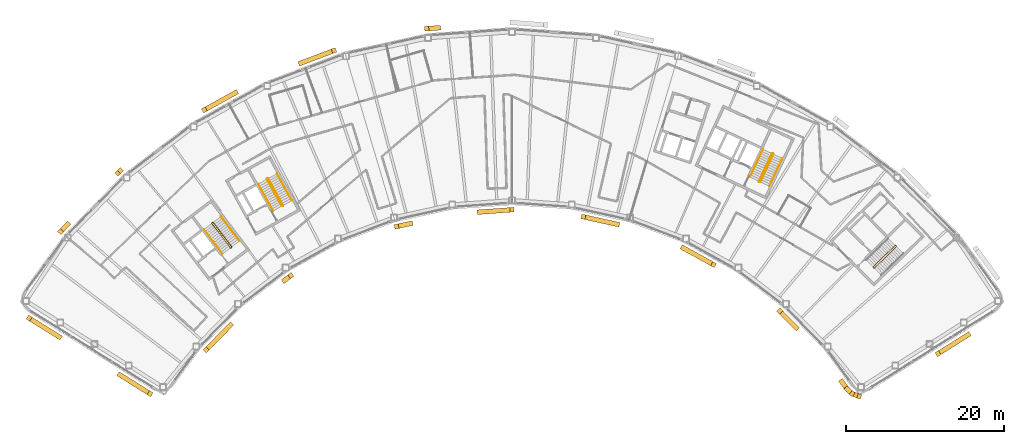
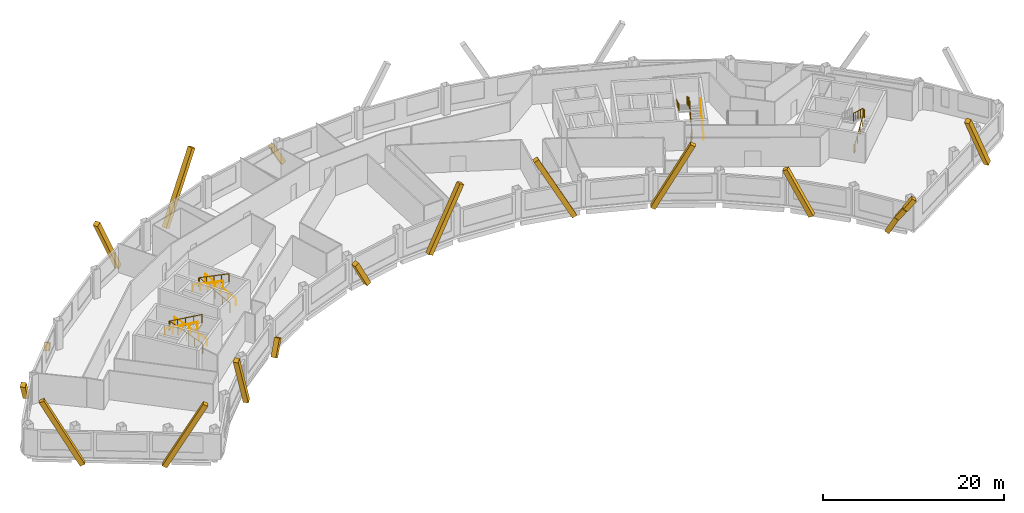
# One storey, part 11 of 12: 18 coverings, 10 railings.
"""IFC4 building model written with IfcOpenShell, lengths in metres."""

from ifc_helpers import new_model, si_unit, direction, frame, origin, origin_2d, place, context, subcontext, project, spatial, rectangle, circle, extrude, material, material_profile, profile_set, type_object, element, save


model = new_model("IFC4")

# Units and contexts
model_context = context("Model", 3, precision=1e-05, world=origin(), true_north=direction((0.0, 1.0)))
body_context = subcontext(model_context, "Body", "Model", "MODEL_VIEW")
ifc_project = project(units=[si_unit("LENGTHUNIT", "METRE"), si_unit("AREAUNIT", "SQUARE_METRE"), si_unit("VOLUMEUNIT", "CUBIC_METRE"), si_unit("PLANEANGLEUNIT", "RADIAN"), si_unit("MASSUNIT", "GRAM", prefix="KILO")], contexts=[model_context])

# Site, building, storey
site_placement = place(None, origin())
site = spatial("IfcSite", under=ifc_project, at=site_placement, CompositionType="ELEMENT")
building_placement = place(site_placement, origin())
building = spatial("IfcBuilding", under=site, at=building_placement, Name="Tuul Gate Civic Tower", CompositionType="ELEMENT")
storey_placement = place(building_placement, frame((0.0, 0.0, 328.10009765625)))
storey = spatial("IfcBuildingStorey", under=building, at=storey_placement, Name="Level 74", CompositionType="ELEMENT", Elevation=328.10009765625)

# Railings
ifc_material_1 = material(Name="Painted steel", Category="steel")
railing_type_1 = type_object("IfcRailingType", Name="Stair guard", PredefinedType="GUARDRAIL", material=ifc_material_1)
railing_1_placement = place(storey_placement, frame((-33.382080078125, -13.515380859375, 0.0)))
element("IfcRailing", 1, at=railing_1_placement, inside=storey, type_object=railing_type_1, Name="Level 74 ST-1 stair guard 1", PredefinedType="GUARDRAIL", context=body_context, shape_type="SweptSolid", body=[
    extrude(circle(Radius=0.02392578125, at=origin_2d()), frame((0.0, 0.0, 1.076171875), z_axis=(-0.795879841968, -0.605454603706, 0.0), x_axis=(0.605454603706, -0.795879841968, 0.0)), (0.0, 0.0, 1.0), 0.10009765625),
    extrude(circle(Radius=0.02392578125, at=origin_2d()), frame((-0.07958984375, -0.060546875, 1.076171875), z_axis=(0.408991890351, 0.599481263939, 0.688002796371), x_axis=(-0.826063974707, 0.563576356576, 0.0)), (0.0, 0.0, 1.0), 0.2177734375),
    extrude(circle(Radius=0.02392578125, at=origin_2d()), frame((0.009521484375, 0.070068359375, 1.22607421875), z_axis=(-0.541824460341, 0.711645023348, 0.447199748346), x_axis=(-0.795637165283, -0.60577347352, 0.0)), (0.0, 0.0, 1.0), 4.3603515625),
    extrude(circle(Radius=0.02392578125, at=origin_2d()), frame((-2.35302734375, 3.173095703125, 3.17578125), z_axis=(-0.990893089246, 0.134650977284, 0.0), x_axis=(-0.134650977284, -0.990893089246, 0.0)), (0.0, 0.0, 1.0), 0.07080078125),
    extrude(circle(Radius=0.02392578125, at=origin_2d()), frame((-2.423095703125, 3.1826171875, 3.17578125), z_axis=(-0.793802879778, -0.60817512943, 0.0), x_axis=(0.60817512943, -0.793802879778, 0.0)), (0.0, 0.0, 1.0), 0.099853515625),
    extrude(circle(Radius=0.02392578125, at=origin_2d()), frame((-2.50244140625, 3.121826171875, 3.17578125), z_axis=(-0.057370624079, -0.422188951554, 0.904690610473), x_axis=(0.990893089246, -0.134650977284, 0.0)), (0.0, 0.0, 1.0), 0.166015625),
    extrude(circle(Radius=0.02392578125, at=origin_2d()), frame((-2.511962890625, 3.0517578125, 3.326171875), z_axis=(0.541806494602, -0.71163897684, 0.447231136047), x_axis=(0.795644365679, 0.605764016233, 0.0)), (0.0, 0.0, 1.0), 4.360107421875),
    extrude(circle(Radius=0.02099609375, at=origin_2d()), origin(), (0.0, 0.0, 1.0), 1.052001953125),
    extrude(circle(Radius=0.02099609375, at=origin_2d()), frame((-0.07958984375, -0.060546875, 0.0)), (0.0, 0.0, 1.0), 1.052001953125),
    extrude(circle(Radius=0.02099609375, at=origin_2d()), frame((0.009521484375, 0.070068359375, 0.14990234375)), (0.0, 0.0, 1.0), 1.052001953125),
    extrude(circle(Radius=0.02099609375, at=origin_2d()), frame((-0.5810546875, 0.845703125, 0.637451171875)), (0.0, 0.0, 1.0), 1.052001953125),
    extrude(circle(Radius=0.02099609375, at=origin_2d()), frame((-1.171875, 1.62158203125, 1.125)), (0.0, 0.0, 1.0), 1.052001953125),
    extrude(circle(Radius=0.02099609375, at=origin_2d()), frame((-1.762451171875, 2.3974609375, 1.6123046875)), (0.0, 0.0, 1.0), 1.052001953125),
    extrude(circle(Radius=0.02099609375, at=origin_2d()), frame((-2.35302734375, 3.173095703125, 2.099853515625)), (0.0, 0.0, 1.0), 1.052001953125),
    extrude(circle(Radius=0.02099609375, at=origin_2d()), frame((-2.423095703125, 3.1826171875, 2.099853515625)), (0.0, 0.0, 1.0), 1.052001953125),
    extrude(circle(Radius=0.02099609375, at=origin_2d()), frame((-2.50244140625, 3.121826171875, 2.099853515625)), (0.0, 0.0, 1.0), 1.052001953125),
    extrude(circle(Radius=0.02099609375, at=origin_2d()), frame((-2.511962890625, 3.0517578125, 2.25)), (0.0, 0.0, 1.0), 1.052001953125),
    extrude(circle(Radius=0.02099609375, at=origin_2d()), frame((-1.92138671875, 2.276123046875, 2.737548828125)), (0.0, 0.0, 1.0), 1.052001953125),
    extrude(circle(Radius=0.02099609375, at=origin_2d()), frame((-1.330810546875, 1.50048828125, 3.22509765625)), (0.0, 0.0, 1.0), 1.052001953125),
    extrude(circle(Radius=0.02099609375, at=origin_2d()), frame((-0.740234375, 0.724609375, 3.71240234375)), (0.0, 0.0, 1.0), 1.052001953125),
    extrude(circle(Radius=0.02099609375, at=origin_2d()), frame((-0.149658203125, -0.051025390625, 4.199951171875)), (0.0, 0.0, 1.0), 1.052001953125),
])
railing_2_placement = place(storey_placement, frame((-26.857666015625, -8.247314453125, 0.0)))
element("IfcRailing", 2, at=railing_2_placement, inside=storey, type_object=railing_type_1, Name="Level 74 ST-2 stair guard 1", PredefinedType="GUARDRAIL", context=body_context, shape_type="SweptSolid", body=[
    extrude(circle(Radius=0.02392578125, at=origin_2d()), frame((0.0, 0.0, 1.076171875), z_axis=(-0.874616555828, -0.48481530532, 0.0), x_axis=(0.48481530532, -0.874616555828, 0.0)), (0.0, 0.0, 1.0), 0.10009765625),
    extrude(circle(Radius=0.02392578125, at=origin_2d()), frame((-0.087646484375, -0.048583984375, 1.076171875), z_axis=(0.49081399482, 0.534516610797, 0.688036056665), x_axis=(-0.736576986774, 0.676353711126, 0.0)), (0.0, 0.0, 1.0), 0.2177734375),
    extrude(circle(Radius=0.02392578125, at=origin_2d()), frame((0.019287109375, 0.06787109375, 1.22607421875), z_axis=(-0.43354991378, 0.782327185242, 0.447212083348), x_axis=(-0.874667644053, -0.484723129681, 0.0)), (0.0, 0.0, 1.0), 4.3603515625),
    extrude(circle(Radius=0.02392578125, at=origin_2d()), frame((-1.87109375, 3.47900390625, 3.17578125), z_axis=(-0.961263487578, 0.275631107549, 0.0), x_axis=(-0.275631107549, -0.961263487578, 0.0)), (0.0, 0.0, 1.0), 0.07080078125),
    extrude(circle(Radius=0.02392578125, at=origin_2d()), frame((-1.939208984375, 3.49853515625, 3.17578125), z_axis=(-0.874042088414, -0.485850211157, 0.0), x_axis=(0.485850211157, -0.874042088414, 0.0)), (0.0, 0.0, 1.0), 0.10009765625),
    extrude(circle(Radius=0.02392578125, at=origin_2d()), frame((-2.026611328125, 3.449951171875, 3.17578125), z_axis=(-0.117709570447, -0.409040757305, 0.904892322815), x_axis=(0.961000426733, -0.276546885391, 0.0)), (0.0, 0.0, 1.0), 0.166015625),
    extrude(circle(Radius=0.02392578125, at=origin_2d()), frame((-2.046142578125, 3.382080078125, 3.326171875), z_axis=(0.433595379963, -0.782308193291, 0.447201226726), x_axis=(0.874641102302, 0.484771020343, 0.0)), (0.0, 0.0, 1.0), 4.3603515625),
    extrude(circle(Radius=0.02099609375, at=origin_2d()), origin(), (0.0, 0.0, 1.0), 1.052001953125),
    extrude(circle(Radius=0.02099609375, at=origin_2d()), frame((-0.087646484375, -0.048583984375, 0.0)), (0.0, 0.0, 1.0), 1.052001953125),
    extrude(circle(Radius=0.02099609375, at=origin_2d()), frame((0.019287109375, 0.06787109375, 0.14990234375)), (0.0, 0.0, 1.0), 1.052001953125),
    extrude(circle(Radius=0.02099609375, at=origin_2d()), frame((-0.453369140625, 0.920654296875, 0.637451171875)), (0.0, 0.0, 1.0), 1.052001953125),
    extrude(circle(Radius=0.02099609375, at=origin_2d()), frame((-0.92578125, 1.7734375, 1.125)), (0.0, 0.0, 1.0), 1.052001953125),
    extrude(circle(Radius=0.02099609375, at=origin_2d()), frame((-1.3984375, 2.626220703125, 1.6123046875)), (0.0, 0.0, 1.0), 1.052001953125),
    extrude(circle(Radius=0.02099609375, at=origin_2d()), frame((-1.87109375, 3.47900390625, 2.099853515625)), (0.0, 0.0, 1.0), 1.052001953125),
    extrude(circle(Radius=0.02099609375, at=origin_2d()), frame((-1.939208984375, 3.49853515625, 2.099853515625)), (0.0, 0.0, 1.0), 1.052001953125),
    extrude(circle(Radius=0.02099609375, at=origin_2d()), frame((-2.026611328125, 3.449951171875, 2.099853515625)), (0.0, 0.0, 1.0), 1.052001953125),
    extrude(circle(Radius=0.02099609375, at=origin_2d()), frame((-2.046142578125, 3.382080078125, 2.25)), (0.0, 0.0, 1.0), 1.052001953125),
    extrude(circle(Radius=0.02099609375, at=origin_2d()), frame((-1.573486328125, 2.529296875, 2.737548828125)), (0.0, 0.0, 1.0), 1.052001953125),
    extrude(circle(Radius=0.02099609375, at=origin_2d()), frame((-1.100830078125, 1.676513671875, 3.22509765625)), (0.0, 0.0, 1.0), 1.052001953125),
    extrude(circle(Radius=0.02099609375, at=origin_2d()), frame((-0.628173828125, 0.82373046875, 3.71240234375)), (0.0, 0.0, 1.0), 1.052001953125),
    extrude(circle(Radius=0.02099609375, at=origin_2d()), frame((-0.155517578125, -0.029052734375, 4.199951171875)), (0.0, 0.0, 1.0), 1.052001953125),
])
railing_3_placement = place(storey_placement, frame((48.10546875, -16.134765625, 0.0)))
element("IfcRailing", 3, at=railing_3_placement, inside=storey, type_object=railing_type_1, Name="Level 74 ST-3 stair guard 1", PredefinedType="GUARDRAIL", context=body_context, shape_type="SweptSolid", body=[
    extrude(circle(Radius=0.02392578125, at=origin_2d()), frame((0.0, 0.0, 1.076171875), z_axis=(-0.698506948293, 0.715603272202, 0.0), x_axis=(-0.715603272202, -0.698506948293, 0.0)), (0.0, 0.0, 1.0), 0.099853515625),
    extrude(circle(Radius=0.02392578125, at=origin_2d()), frame((-0.06982421875, 0.071533203125, 1.076171875), z_axis=(0.645446321009, -0.331687692741, 0.688027849131), x_axis=(0.457068866502, 0.889431307788, 0.0)), (0.0, 0.0, 1.0), 0.2177734375),
    extrude(circle(Radius=0.02392578125, at=origin_2d()), frame((0.07080078125, -0.000732421875, 1.22607421875), z_axis=(0.638731261263, 0.626133563701, 0.447190268558), x_axis=(-0.700029477518, 0.714113947914, 0.0)), (0.0, 0.0, 1.0), 4.3603515625),
    extrude(circle(Radius=0.02392578125, at=origin_2d()), frame((2.85595703125, 2.7294921875, 3.17578125), z_axis=(0.010380063588, 0.999946125689, 0.0), x_axis=(-0.999946125689, 0.010380063588, 0.0)), (0.0, 0.0, 1.0), 0.070556640625),
    extrude(circle(Radius=0.02392578125, at=origin_2d()), frame((2.856689453125, 2.800048828125, 3.17578125), z_axis=(-0.699754442181, 0.714383454909, 0.0), x_axis=(-0.714383454909, -0.699754442181, 0.0)), (0.0, 0.0, 1.0), 0.10009765625),
    extrude(circle(Radius=0.02392578125, at=origin_2d()), frame((2.78662109375, 2.87158203125, 3.17578125), z_axis=(-0.426501027327, 0.004412079593, 0.904476316574), x_axis=(-0.010344274102, -0.999946496565, 0.0)), (0.0, 0.0, 1.0), 0.166015625),
    extrude(circle(Radius=0.02392578125, at=origin_2d()), frame((2.7158203125, 2.872314453125, 3.326171875), z_axis=(-0.638731261263, -0.626133563701, 0.447190268558), x_axis=(0.700029477518, -0.714113947914, 0.0)), (0.0, 0.0, 1.0), 4.3603515625),
    extrude(circle(Radius=0.02099609375, at=origin_2d()), origin(), (0.0, 0.0, 1.0), 1.052001953125),
    extrude(circle(Radius=0.02099609375, at=origin_2d()), frame((-0.06982421875, 0.071533203125, 0.0)), (0.0, 0.0, 1.0), 1.052001953125),
    extrude(circle(Radius=0.02099609375, at=origin_2d()), frame((0.07080078125, -0.000732421875, 0.14990234375)), (0.0, 0.0, 1.0), 1.052001953125),
    extrude(circle(Radius=0.02099609375, at=origin_2d()), frame((0.76708984375, 0.681884765625, 0.637451171875)), (0.0, 0.0, 1.0), 1.052001953125),
    extrude(circle(Radius=0.02099609375, at=origin_2d()), frame((1.46337890625, 1.3642578125, 1.125)), (0.0, 0.0, 1.0), 1.052001953125),
    extrude(circle(Radius=0.02099609375, at=origin_2d()), frame((2.15966796875, 2.046875, 1.6123046875)), (0.0, 0.0, 1.0), 1.052001953125),
    extrude(circle(Radius=0.02099609375, at=origin_2d()), frame((2.85595703125, 2.7294921875, 2.099853515625)), (0.0, 0.0, 1.0), 1.052001953125),
    extrude(circle(Radius=0.02099609375, at=origin_2d()), frame((2.856689453125, 2.800048828125, 2.099853515625)), (0.0, 0.0, 1.0), 1.052001953125),
    extrude(circle(Radius=0.02099609375, at=origin_2d()), frame((2.78662109375, 2.87158203125, 2.099853515625)), (0.0, 0.0, 1.0), 1.052001953125),
    extrude(circle(Radius=0.02099609375, at=origin_2d()), frame((2.7158203125, 2.872314453125, 2.25)), (0.0, 0.0, 1.0), 1.052001953125),
    extrude(circle(Radius=0.02099609375, at=origin_2d()), frame((2.01953125, 2.189697265625, 2.737548828125)), (0.0, 0.0, 1.0), 1.052001953125),
    extrude(circle(Radius=0.02099609375, at=origin_2d()), frame((1.3232421875, 1.50732421875, 3.22509765625)), (0.0, 0.0, 1.0), 1.052001953125),
    extrude(circle(Radius=0.02099609375, at=origin_2d()), frame((0.626953125, 0.82470703125, 3.71240234375)), (0.0, 0.0, 1.0), 1.052001953125),
    extrude(circle(Radius=0.02099609375, at=origin_2d()), frame((-0.0693359375, 0.14208984375, 4.199951171875)), (0.0, 0.0, 1.0), 1.052001953125),
])
railing_4_placement = place(storey_placement, frame((33.645751953125, -5.238525390625, 0.0)))
element("IfcRailing", 4, at=railing_4_placement, inside=storey, type_object=railing_type_1, Name="Level 74 ST-4 stair guard 1", PredefinedType="GUARDRAIL", context=body_context, shape_type="SweptSolid", body=[
    extrude(circle(Radius=0.02392578125, at=origin_2d()), frame((0.0, 0.0, 1.076171875), z_axis=(-0.906307919131, 0.422617978463, 0.0), x_axis=(-0.422617978463, -0.906307919131, 0.0)), (0.0, 0.0, 1.0), 0.099853515625),
    extrude(circle(Radius=0.02392578125, at=origin_2d()), frame((-0.090576171875, 0.042236328125, 1.076171875), z_axis=(0.720735628292, -0.082946246491, 0.688229666829), x_axis=(0.114330889033, 0.993442724979, 0.0)), (0.0, 0.0, 1.0), 0.2177734375),
    extrude(circle(Radius=0.02392578125, at=origin_2d()), frame((0.06640625, 0.024169921875, 1.22607421875), z_axis=(0.377946903738, 0.810654114417, 0.447209173356), x_axis=(-0.906336612539, 0.422556439746, 0.0)), (0.0, 0.0, 1.0), 4.3603515625),
    extrude(circle(Radius=0.02392578125, at=origin_2d()), frame((1.71435546875, 3.558837890625, 3.17578125), z_axis=(-0.342020437038, 0.939692513883, 0.0), x_axis=(-0.939692513883, -0.342020437038, 0.0)), (0.0, 0.0, 1.0), 0.070556640625),
    extrude(circle(Radius=0.02392578125, at=origin_2d()), frame((1.690185546875, 3.625244140625, 3.17578125), z_axis=(-0.906307919131, 0.422617978463, 0.0), x_axis=(-0.422617978463, -0.906307919131, 0.0)), (0.0, 0.0, 1.0), 0.099853515625),
    extrude(circle(Radius=0.02392578125, at=origin_2d()), frame((1.599609375, 3.66748046875, 3.17578125), z_axis=(-0.400168791901, -0.145649670582, 0.904793408159), x_axis=(0.342020437038, -0.939692513883, 0.0)), (0.0, 0.0, 1.0), 0.166015625),
    extrude(circle(Radius=0.02392578125, at=origin_2d()), frame((1.533203125, 3.643310546875, 3.326171875), z_axis=(-0.377946903738, -0.810654114417, 0.447209173356), x_axis=(0.906336612539, -0.422556439746, 0.0)), (0.0, 0.0, 1.0), 4.3603515625),
    extrude(circle(Radius=0.02099609375, at=origin_2d()), origin(), (0.0, 0.0, 1.0), 1.052001953125),
    extrude(circle(Radius=0.02099609375, at=origin_2d()), frame((-0.090576171875, 0.042236328125, 0.0)), (0.0, 0.0, 1.0), 1.052001953125),
    extrude(circle(Radius=0.02099609375, at=origin_2d()), frame((0.06640625, 0.024169921875, 0.14990234375)), (0.0, 0.0, 1.0), 1.052001953125),
    extrude(circle(Radius=0.02099609375, at=origin_2d()), frame((0.478515625, 0.90771484375, 0.637451171875)), (0.0, 0.0, 1.0), 1.052001953125),
    extrude(circle(Radius=0.02099609375, at=origin_2d()), frame((0.890380859375, 1.79150390625, 1.125)), (0.0, 0.0, 1.0), 1.052001953125),
    extrude(circle(Radius=0.02099609375, at=origin_2d()), frame((1.30224609375, 2.67529296875, 1.6123046875)), (0.0, 0.0, 1.0), 1.052001953125),
    extrude(circle(Radius=0.02099609375, at=origin_2d()), frame((1.71435546875, 3.558837890625, 2.099853515625)), (0.0, 0.0, 1.0), 1.052001953125),
    extrude(circle(Radius=0.02099609375, at=origin_2d()), frame((1.690185546875, 3.625244140625, 2.099853515625)), (0.0, 0.0, 1.0), 1.052001953125),
    extrude(circle(Radius=0.02099609375, at=origin_2d()), frame((1.599609375, 3.66748046875, 2.099853515625)), (0.0, 0.0, 1.0), 1.052001953125),
    extrude(circle(Radius=0.02099609375, at=origin_2d()), frame((1.533203125, 3.643310546875, 2.25)), (0.0, 0.0, 1.0), 1.052001953125),
    extrude(circle(Radius=0.02099609375, at=origin_2d()), frame((1.12109375, 2.759765625, 2.737548828125)), (0.0, 0.0, 1.0), 1.052001953125),
    extrude(circle(Radius=0.02099609375, at=origin_2d()), frame((0.709228515625, 1.8759765625, 3.22509765625)), (0.0, 0.0, 1.0), 1.052001953125),
    extrude(circle(Radius=0.02099609375, at=origin_2d()), frame((0.29736328125, 0.9921875, 3.71240234375)), (0.0, 0.0, 1.0), 1.052001953125),
    extrude(circle(Radius=0.02099609375, at=origin_2d()), frame((-0.11474609375, 0.108642578125, 4.199951171875)), (0.0, 0.0, 1.0), 1.052001953125),
])
ifc_material_2 = material(Name="Painted steel", Category="steel")
railing_type_2 = type_object("IfcRailingType", Name="Stair handrail", PredefinedType="HANDRAIL", material=ifc_material_2)
railing_5_placement = place(storey_placement, frame((-32.3779296875, -12.688232421875, 0.14990234375)))
element("IfcRailing", 5, at=railing_5_placement, inside=storey, type_object=railing_type_2, Name="Level 74 ST-1 stair handrail 1", PredefinedType="HANDRAIL", context=body_context, shape_type="SweptSolid", body=[
    extrude(circle(Radius=0.02392578125, at=origin_2d()), frame((0.0, 0.0, 0.8759765625), z_axis=(-0.541824460341, 0.711645023348, 0.447199748346), x_axis=(-0.795637165283, -0.60577347352, 0.0)), (0.0, 0.0, 1.0), 4.3603515625),
    extrude(circle(Radius=0.02099609375, at=origin_2d()), origin(), (0.0, 0.0, 1.0), 0.851806640625),
    extrude(circle(Radius=0.02099609375, at=origin_2d()), frame((-0.590576171875, 0.77587890625, 0.487548828125)), (0.0, 0.0, 1.0), 0.851806640625),
    extrude(circle(Radius=0.02099609375, at=origin_2d()), frame((-1.18115234375, 1.551513671875, 0.97509765625)), (0.0, 0.0, 1.0), 0.851806640625),
    extrude(circle(Radius=0.02099609375, at=origin_2d()), frame((-1.77197265625, 2.3271484375, 1.46240234375)), (0.0, 0.0, 1.0), 0.851806640625),
    extrude(circle(Radius=0.02099609375, at=origin_2d()), frame((-2.362548828125, 3.10302734375, 1.949951171875)), (0.0, 0.0, 1.0), 0.851806640625),
])
railing_6_placement = place(storey_placement, frame((-36.888671875, -11.220703125, 2.25)))
element("IfcRailing", 6, at=railing_6_placement, inside=storey, type_object=railing_type_2, Name="Level 74 ST-1 stair handrail 2", PredefinedType="HANDRAIL", context=body_context, shape_type="SweptSolid", body=[
    extrude(circle(Radius=0.02392578125, at=origin_2d()), frame((0.0, 0.0, 0.8759765625), z_axis=(0.541824460341, -0.711645023348, 0.447199748346), x_axis=(0.795637165283, 0.60577347352, 0.0)), (0.0, 0.0, 1.0), 4.3603515625),
    extrude(circle(Radius=0.02099609375, at=origin_2d()), origin(), (0.0, 0.0, 1.0), 0.851806640625),
    extrude(circle(Radius=0.02099609375, at=origin_2d()), frame((0.590576171875, -0.77587890625, 0.487548828125)), (0.0, 0.0, 1.0), 0.851806640625),
    extrude(circle(Radius=0.02099609375, at=origin_2d()), frame((1.18115234375, -1.551513671875, 0.97509765625)), (0.0, 0.0, 1.0), 0.851806640625),
    extrude(circle(Radius=0.02099609375, at=origin_2d()), frame((1.77197265625, -2.3271484375, 1.46240234375)), (0.0, 0.0, 1.0), 0.851806640625),
    extrude(circle(Radius=0.02099609375, at=origin_2d()), frame((2.362548828125, -3.10302734375, 1.949951171875)), (0.0, 0.0, 1.0), 0.851806640625),
])
railing_7_placement = place(storey_placement, frame((-25.744873046875, -7.573486328125, 0.14990234375)))
element("IfcRailing", 7, at=railing_7_placement, inside=storey, type_object=railing_type_2, Name="Level 74 ST-2 stair handrail 1", PredefinedType="HANDRAIL", context=body_context, shape_type="SweptSolid", body=[
    extrude(circle(Radius=0.02392578125, at=origin_2d()), frame((0.0, 0.0, 0.8759765625), z_axis=(-0.433595379963, 0.782308193291, 0.447201226726), x_axis=(-0.874641102302, -0.484771020343, 0.0)), (0.0, 0.0, 1.0), 4.3603515625),
    extrude(circle(Radius=0.02099609375, at=origin_2d()), origin(), (0.0, 0.0, 1.0), 0.851806640625),
    extrude(circle(Radius=0.02099609375, at=origin_2d()), frame((-0.47265625, 0.852783203125, 0.487548828125)), (0.0, 0.0, 1.0), 0.851806640625),
    extrude(circle(Radius=0.02099609375, at=origin_2d()), frame((-0.9453125, 1.70556640625, 0.97509765625)), (0.0, 0.0, 1.0), 0.851806640625),
    extrude(circle(Radius=0.02099609375, at=origin_2d()), frame((-1.41796875, 2.558349609375, 1.46240234375)), (0.0, 0.0, 1.0), 0.851806640625),
    extrude(circle(Radius=0.02099609375, at=origin_2d()), frame((-1.890625, 3.4111328125, 1.949951171875)), (0.0, 0.0, 1.0), 0.851806640625),
])
railing_8_placement = place(storey_placement, frame((-29.9970703125, -5.47119140625, 2.25)))
element("IfcRailing", 8, at=railing_8_placement, inside=storey, type_object=railing_type_2, Name="Level 74 ST-2 stair handrail 2", PredefinedType="HANDRAIL", context=body_context, shape_type="SweptSolid", body=[
    extrude(circle(Radius=0.02392578125, at=origin_2d()), frame((0.0, 0.0, 0.8759765625), z_axis=(0.433595379963, -0.782308193291, 0.447201226726), x_axis=(0.874641102302, 0.484771020343, 0.0)), (0.0, 0.0, 1.0), 4.3603515625),
    extrude(circle(Radius=0.02099609375, at=origin_2d()), origin(), (0.0, 0.0, 1.0), 0.851806640625),
    extrude(circle(Radius=0.02099609375, at=origin_2d()), frame((0.47265625, -0.852783203125, 0.487548828125)), (0.0, 0.0, 1.0), 0.851806640625),
    extrude(circle(Radius=0.02099609375, at=origin_2d()), frame((0.9453125, -1.70556640625, 0.97509765625)), (0.0, 0.0, 1.0), 0.851806640625),
    extrude(circle(Radius=0.02099609375, at=origin_2d()), frame((1.41796875, -2.558349609375, 1.46240234375)), (0.0, 0.0, 1.0), 0.851806640625),
    extrude(circle(Radius=0.02099609375, at=origin_2d()), frame((1.890625, -3.4111328125, 1.949951171875)), (0.0, 0.0, 1.0), 0.851806640625),
])
railing_9_placement = place(storey_placement, frame((34.844970703125, -5.74267578125, 0.14990234375)))
element("IfcRailing", 9, at=railing_9_placement, inside=storey, type_object=railing_type_2, Name="Level 74 ST-4 stair handrail 1", PredefinedType="HANDRAIL", context=body_context, shape_type="SweptSolid", body=[
    extrude(circle(Radius=0.02392578125, at=origin_2d()), frame((0.0, 0.0, 0.8759765625), z_axis=(0.377994896215, 0.810636958585, 0.447199709091), x_axis=(-0.906312636903, 0.422607861012, 0.0)), (0.0, 0.0, 1.0), 4.3603515625),
    extrude(circle(Radius=0.02099609375, at=origin_2d()), origin(), (0.0, 0.0, 1.0), 0.851806640625),
    extrude(circle(Radius=0.02099609375, at=origin_2d()), frame((0.412109375, 0.8837890625, 0.487548828125)), (0.0, 0.0, 1.0), 0.851806640625),
    extrude(circle(Radius=0.02099609375, at=origin_2d()), frame((0.82421875, 1.767333984375, 0.97509765625)), (0.0, 0.0, 1.0), 0.851806640625),
    extrude(circle(Radius=0.02099609375, at=origin_2d()), frame((1.236083984375, 2.65087890625, 1.46240234375)), (0.0, 0.0, 1.0), 0.851806640625),
    extrude(circle(Radius=0.02099609375, at=origin_2d()), frame((1.648193359375, 3.53466796875, 1.949951171875)), (0.0, 0.0, 1.0), 0.851806640625),
])
railing_10_placement = place(storey_placement, frame((34.046142578125, -1.06689453125, 2.25)))
element("IfcRailing", 10, at=railing_10_placement, inside=storey, type_object=railing_type_2, Name="Level 74 ST-4 stair handrail 2", PredefinedType="HANDRAIL", context=body_context, shape_type="SweptSolid", body=[
    extrude(circle(Radius=0.02392578125, at=origin_2d()), frame((0.0, 0.0, 0.8759765625), z_axis=(-0.377994896215, -0.810636958585, 0.447199709091), x_axis=(0.906312636903, -0.422607861012, 0.0)), (0.0, 0.0, 1.0), 4.3603515625),
    extrude(circle(Radius=0.02099609375, at=origin_2d()), origin(), (0.0, 0.0, 1.0), 0.851806640625),
    extrude(circle(Radius=0.02099609375, at=origin_2d()), frame((-0.412109375, -0.8837890625, 0.487548828125)), (0.0, 0.0, 1.0), 0.851806640625),
    extrude(circle(Radius=0.02099609375, at=origin_2d()), frame((-0.82421875, -1.767333984375, 0.97509765625)), (0.0, 0.0, 1.0), 0.851806640625),
    extrude(circle(Radius=0.02099609375, at=origin_2d()), frame((-1.236083984375, -2.65087890625, 1.46240234375)), (0.0, 0.0, 1.0), 0.851806640625),
    extrude(circle(Radius=0.02099609375, at=origin_2d()), frame((-1.648193359375, -3.53466796875, 1.949951171875)), (0.0, 0.0, 1.0), 0.851806640625),
])

# Coverings
ifc_material_3 = material(Name="Terracotta baguette", Category="masonry")
ifc_material_profile = material_profile(ifc_material_3, rectangle(XDim=0.60009765625, YDim=0.60009765625, at=origin_2d()), Name="Terracotta baguette screen frame")
ifc_profile_set = profile_set([ifc_material_profile], Name="Terracotta baguette")
covering_type = type_object("IfcCoveringType", Name="Terracotta baguette screen frame", PredefinedType="CLADDING", material=ifc_profile_set)
covering_1_placement = place(storey_placement, frame((60.09326171875, -24.597900390625, -0.35009765625), z_axis=(-0.402317058192, -0.251358609748, 0.880318030028), x_axis=(0.529863185224, -0.848083135633, 0.0)))
element("IfcCovering", 11, at=covering_1_placement, inside=storey, type_object=covering_type, Name="Baguette 3", PredefinedType="CLADDING", context=body_context, shape_type="SweptSolid", body=[
    extrude(rectangle(XDim=0.60009765625, YDim=0.60009765625, at=origin_2d()), origin(), (0.0, 0.0, 1.0), 9.5419921875),
])
covering_2_placement = place(storey_placement, frame((-7.125244140625, 14.356201171875, -0.35009765625), z_axis=(-0.473925270025, -0.034362464834, 0.879894345613), x_axis=(0.072316243879, -0.997381752826, 0.0)))
element("IfcCovering", 12, at=covering_2_placement, inside=storey, type_object=covering_type, Name="Baguette 81", PredefinedType="CLADDING", context=body_context, shape_type="SweptSolid", body=[
    extrude(rectangle(XDim=0.60009765625, YDim=0.60009765625, at=origin_2d()), origin(), (0.0, 0.0, 1.0), 3.17578125),
])
covering_3_placement = place(storey_placement, frame((-20.39501953125, 11.47021484375, 8.0498046875), z_axis=(-0.444447097075, -0.168096597565, -0.879892216006), x_axis=(0.353758489664, -0.935336800832, 0.0)))
element("IfcCovering", 13, at=covering_3_placement, inside=storey, type_object=covering_type, Name="Baguette 93", PredefinedType="CLADDING", context=body_context, shape_type="SweptSolid", body=[
    extrude(rectangle(XDim=0.60009765625, YDim=0.60009765625, at=origin_2d()), origin(), (0.0, 0.0, 1.0), 9.546630859375),
])
covering_4_placement = place(storey_placement, frame((-32.880615234375, 6.13134765625, -0.35009765625), z_axis=(-0.415601604837, -0.230344203727, 0.879895933544), x_axis=(0.484765303515, -0.874644270837, 0.0)))
element("IfcCovering", 14, at=covering_4_placement, inside=storey, type_object=covering_type, Name="Baguette 102", PredefinedType="CLADDING", context=body_context, shape_type="SweptSolid", body=[
    extrude(rectangle(XDim=0.60009765625, YDim=0.60009765625, at=origin_2d()), origin(), (0.0, 0.0, 1.0), 9.54638671875),
])
covering_5_placement = place(storey_placement, frame((-47.501708984375, -3.76123046875, 0.47900390625), z_axis=(-0.332463914637, -0.339201297163, -0.880005809905), x_axis=(0.714163745237, -0.699978674667, 0.0)))
element("IfcCovering", 15, at=covering_5_placement, inside=storey, type_object=covering_type, Name="Baguette 112", PredefinedType="CLADDING", context=body_context, shape_type="SweptSolid", body=[
    extrude(rectangle(XDim=0.60009765625, YDim=0.60009765625, at=origin_2d()), origin(), (0.0, 0.0, 1.0), 0.942138671875),
])
covering_6_placement = place(storey_placement, frame((-54.166015625, -10.5595703125, -0.35009765625), z_axis=(-0.33267215135, -0.339297697341, 0.879889943285), x_axis=(0.714044065429, -0.70010075891, 0.0)))
element("IfcCovering", 16, at=covering_6_placement, inside=storey, type_object=covering_type, Name="Baguette 123", PredefinedType="CLADDING", context=body_context, shape_type="SweptSolid", body=[
    extrude(rectangle(XDim=0.60009765625, YDim=0.60009765625, at=origin_2d()), origin(), (0.0, 0.0, 1.0), 2.800537109375),
])
covering_7_placement = place(storey_placement, frame((-59.09228515625, -22.483642578125, 8.0498046875), z_axis=(0.402293025591, -0.251385166726, -0.880321429656), x_axis=(0.529926214669, 0.848043753002, 0.0)))
element("IfcCovering", 17, at=covering_7_placement, inside=storey, type_object=covering_type, Name="Baguette 147", PredefinedType="CLADDING", context=body_context, shape_type="SweptSolid", body=[
    extrude(rectangle(XDim=0.60009765625, YDim=0.60009765625, at=origin_2d()), origin(), (0.0, 0.0, 1.0), 9.541748046875),
])
covering_8_placement = place(storey_placement, frame((-47.576171875, -29.6796875, -0.35009765625), z_axis=(0.402314470661, -0.251382579131, 0.8803123682), x_axis=(0.529901976461, 0.848058898511, 0.0)))
element("IfcCovering", 18, at=covering_8_placement, inside=storey, type_object=covering_type, Name="Baguette 154", PredefinedType="CLADDING", context=body_context, shape_type="SweptSolid", body=[
    extrude(rectangle(XDim=0.60009765625, YDim=0.60009765625, at=origin_2d()), origin(), (0.0, 0.0, 1.0), 9.5419921875),
])
covering_9_placement = place(storey_placement, frame((-36.614501953125, -26.510009765625, 8.0498046875), z_axis=(0.326359115616, 0.332838984599, -0.884707826339), x_axis=(-0.714023092705, 0.700122148688, 0.0)))
element("IfcCovering", 19, at=covering_9_placement, inside=storey, type_object=covering_type, Name="Baguette 178", PredefinedType="CLADDING", context=body_context, shape_type="SweptSolid", body=[
    extrude(rectangle(XDim=0.60009765625, YDim=0.60009765625, at=origin_2d()), origin(), (0.0, 0.0, 1.0), 9.49462890625),
])
covering_10_placement = place(storey_placement, frame((-26.710205078125, -17.71826171875, -0.35009765625), z_axis=(0.370809590506, 0.282480203725, 0.884706268822), x_axis=(-0.605987035724, 0.795474520356, 0.0)))
element("IfcCovering", 20, at=covering_10_placement, inside=storey, type_object=covering_type, Name="Baguette 188", PredefinedType="CLADDING", context=body_context, shape_type="SweptSolid", body=[
    extrude(rectangle(XDim=0.60009765625, YDim=0.60009765625, at=origin_2d()), origin(), (0.0, 0.0, 1.0), 2.2470703125),
])
covering_11_placement = place(storey_placement, frame((-12.450439453125, -10.86376953125, 3.10498046875), z_axis=(0.455229347503, 0.100335498866, -0.884702791247), x_axis=(-0.215240395152, 0.976561095014, 0.0)))
element("IfcCovering", 21, at=covering_11_placement, inside=storey, type_object=covering_type, Name="Baguette 201", PredefinedType="CLADDING", context=body_context, shape_type="SweptSolid", body=[
    extrude(rectangle(XDim=0.60009765625, YDim=0.60009765625, at=origin_2d()), origin(), (0.0, 0.0, 1.0), 3.9052734375),
])
covering_12_placement = place(storey_placement, frame((-1.96044921875, -9.031982421875, -0.35009765625), z_axis=(0.464920662797, 0.03370456122, 0.884710562759), x_axis=(-0.072305541975, 0.997382528722, 0.0)))
element("IfcCovering", 22, at=covering_12_placement, inside=storey, type_object=covering_type, Name="Baguette 214", PredefinedType="CLADDING", context=body_context, shape_type="SweptSolid", body=[
    extrude(rectangle(XDim=0.60009765625, YDim=0.60009765625, at=origin_2d()), origin(), (0.0, 0.0, 1.0), 8.931396484375),
])
for number, where, z_axis, x_axis, name in (
    (23, (11.247314453125, -9.63232421875, 8.0498046875), (0.455233015253, -0.100334343963, -0.884701034952), (0.215236378617, 0.976561980276, 0.0), "Baguette 226"),
    (24, (23.894287109375, -13.5546875, -0.35009765625), (0.407714066256, -0.225996400626, 0.884700439178), (0.484804374507, 0.87462261488, 0.0), "Baguette 237"),
):
    element("IfcCovering", number, at=place(storey_placement, frame(where, z_axis=z_axis, x_axis=x_axis)), inside=storey, type_object=covering_type, Name=name, PredefinedType="CLADDING", context=body_context, shape_type="SweptSolid", body=[
        extrude(rectangle(XDim=0.60009765625, YDim=0.60009765625, at=origin_2d()), origin(), (0.0, 0.0, 1.0), 9.49462890625),
    ])
covering_13_placement = place(storey_placement, frame((36.162353515625, -21.577880859375, 5.3564453125), z_axis=(0.326377311382, -0.332849597158, -0.884697121215), x_axis=(0.714014739077, 0.700130668076, 0.0)))
element("IfcCovering", 25, at=covering_13_placement, inside=storey, type_object=covering_type, Name="Baguette 247", PredefinedType="CLADDING", context=body_context, shape_type="SweptSolid", body=[
    extrude(rectangle(XDim=0.60009765625, YDim=0.60009765625, at=origin_2d()), origin(), (0.0, 0.0, 1.0), 6.4501953125),
])
covering_14_placement = place(storey_placement, frame((44.0205078125, -30.52392578125, -0.35009765625), z_axis=(0.278681482042, -0.381622395998, 0.881306404402), x_axis=(0.807589091071, 0.589745589202, 0.0)))
element("IfcCovering", 26, at=covering_14_placement, inside=storey, type_object=covering_type, Name="Baguette 264", PredefinedType="CLADDING", context=body_context, shape_type="SweptSolid", body=[
    extrude(rectangle(XDim=0.60009765625, YDim=0.60009765625, at=origin_2d()), origin(), (0.0, 0.0, 1.0), 2.43798828125),
])
covering_15_placement = place(storey_placement, frame((44.699951171875, -31.454345703125, 1.798583984375), z_axis=(0.418363304831, -0.391662567009, 0.819495319556), x_axis=(0.68342735956, 0.730018523193, 0.0)))
element("IfcCovering", 27, at=covering_15_placement, inside=storey, type_object=covering_type, Name="Baguette 265", PredefinedType="CLADDING", context=body_context, shape_type="SweptSolid", body=[
    extrude(rectangle(XDim=0.60009765625, YDim=0.60009765625, at=origin_2d()), origin(), (0.0, 0.0, 1.0), 1.57275390625),
])
covering_16_placement = place(storey_placement, frame((45.35791015625, -32.0703125, 3.08740234375), z_axis=(0.559831988252, -0.222845742896, 0.79807764021), x_axis=(0.369834920181, 0.929097482407, 0.0)))
element("IfcCovering", 28, at=covering_16_placement, inside=storey, type_object=covering_type, Name="Baguette 266", PredefinedType="CLADDING", context=body_context, shape_type="SweptSolid", body=[
    extrude(rectangle(XDim=0.60009765625, YDim=0.60009765625, at=origin_2d()), origin(), (0.0, 0.0, 1.0), 1.616943359375),
])

save(model, "model.ifc")
